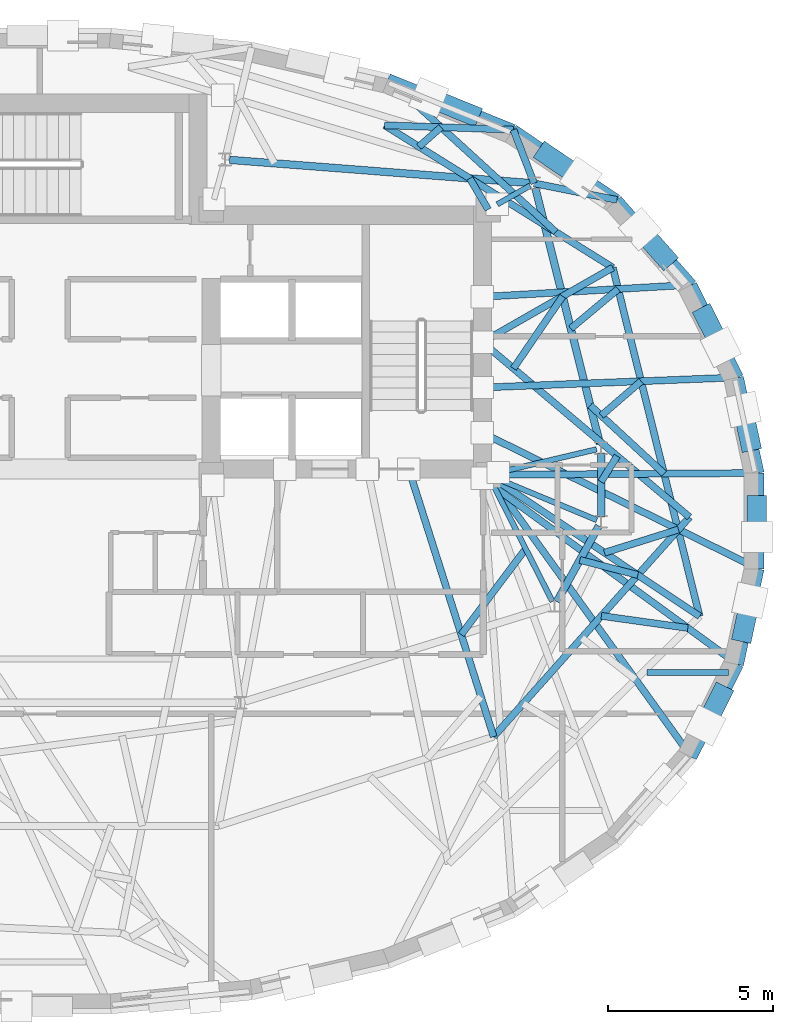
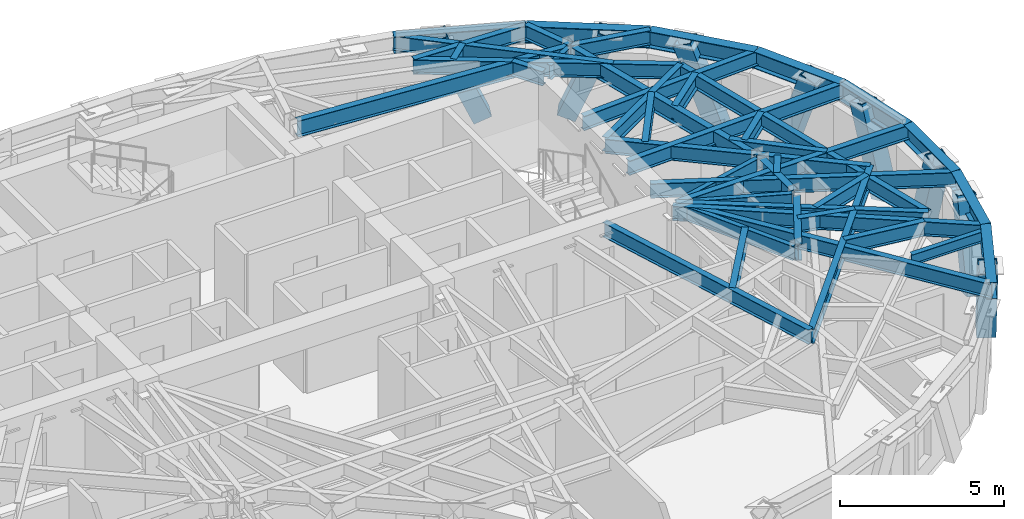
# One storey, part 4 of 12: 45 beams, 8 members.
"""IFC4 building model written with IfcOpenShell, lengths in metres."""

from ifc_helpers import new_model, si_unit, direction, frame, origin, origin_2d, place, context, subcontext, project, spatial, hollow_rectangle, i_section, extrude, material, material_profile, profile_set, type_object, element, save


model = new_model("IFC4")

# Units and contexts
model_context = context("Model", 3, precision=1e-05, world=origin(), true_north=direction((0.0, 1.0)))
body_context = subcontext(model_context, "Body", "Model", "MODEL_VIEW")
ifc_project = project(units=[si_unit("LENGTHUNIT", "METRE"), si_unit("AREAUNIT", "SQUARE_METRE"), si_unit("VOLUMEUNIT", "CUBIC_METRE"), si_unit("PLANEANGLEUNIT", "RADIAN"), si_unit("MASSUNIT", "GRAM", prefix="KILO")], contexts=[model_context])

# Site, building, storey
site_placement = place(None, origin())
site = spatial("IfcSite", under=ifc_project, at=site_placement, CompositionType="ELEMENT")
building_placement = place(site_placement, origin())
building = spatial("IfcBuilding", under=site, at=building_placement, Name="Keldmark Tower", CompositionType="ELEMENT")
storey_placement = place(building_placement, frame((0.0, 0.0, 238.35009765625)))
storey = spatial("IfcBuildingStorey", under=building, at=storey_placement, Name="L67", CompositionType="ELEMENT", Elevation=238.35009765625)

# Beam
ifc_material_1 = material(Name="Steel ASTM A992 Grade 50", Category="steel")
ifc_material_profile_1 = material_profile(ifc_material_1, i_section(OverallWidth=0.177978515625, OverallDepth=0.403076171875, WebThickness=0.007568359375, FlangeThickness=0.010986328125, at=origin_2d()), Name="W16X36")
ifc_profile_set_1 = profile_set([ifc_material_profile_1], Name="Steel ASTM A992 Grade 50")
beam_type_1 = type_object("IfcBeamType", Name="Composite Floor Joist W16X36", PredefinedType="JOIST", material=ifc_profile_set_1)
beam_1_placement = place(storey_placement, frame((18.422607421875, -4.60009765625, 2.768310546875), z_axis=(1.0, 0.0, 0.0), x_axis=(0.0, 1.0, 0.0)))
element("IfcBeam", 1, at=beam_1_placement, inside=storey, type_object=beam_type_1, Name="L67 Composite Floor Joist J05", PredefinedType="JOIST", context=body_context, shape_type="SweptSolid", body=[
    extrude(i_section(OverallWidth=0.177978515625, OverallDepth=0.403076171875, WebThickness=0.007568359375, FlangeThickness=0.010986328125, at=origin_2d()), origin(), (0.0, 0.0, 1.0), 2.466796875),
])

# Members
ifc_material_2 = material(Name="Steel ASTM A572 Grade 50", Category="steel")
ifc_material_profile_2 = material_profile(ifc_material_2, hollow_rectangle(XDim=0.60009765625, YDim=0.60009765625, WallThickness=0.034912109375, at=origin_2d()), Name="BOX600X600X35")
ifc_profile_set_2 = profile_set([ifc_material_profile_2], Name="Steel ASTM A572 Grade 50")
member_type = type_object("IfcMemberType", Name="Diagrid Zone 4 Brace BOX600X600X35", PredefinedType="BRACE", material=ifc_profile_set_2)
member_1_placement = place(storey_placement, frame((21.541259765625, 2.417724609375, -0.260009765625), z_axis=(-0.063814390527, 0.296329192117, 0.952951590303), x_axis=(-0.977588814613, -0.210523418042, 0.0)))
element("IfcMember", 2, at=member_1_placement, inside=storey, type_object=member_type, Name="L67 Perimeter Diagrid Brace 01A", PredefinedType="BRACE", context=body_context, shape_type="SweptSolid", body=[
    extrude(hollow_rectangle(XDim=0.60009765625, YDim=0.60009765625, WallThickness=0.034912109375, at=origin_2d()), origin(), (0.0, 0.0, 1.0), 3.263427734375),
])
member_2_placement = place(storey_placement, frame((20.187255859375, 6.21337890625, -0.260009765625), z_axis=(0.143211897869, -0.285382254663, 0.947653587041), x_axis=(0.89377384963, 0.448517898993, 0.0)))
element("IfcMember", 3, at=member_2_placement, inside=storey, type_object=member_type, Name="L67 Perimeter Diagrid Brace 01B", PredefinedType="BRACE", context=body_context, shape_type="SweptSolid", body=[
    extrude(hollow_rectangle(XDim=0.60009765625, YDim=0.60009765625, WallThickness=0.034912109375, at=origin_2d()), origin(), (0.0, 0.0, 1.0), 3.28173828125),
])
member_3_placement = place(storey_placement, frame((18.965087890625, 7.9970703125, -0.260009765625), z_axis=(-0.228331892863, 0.258908767835, 0.938525863597), x_axis=(-0.750006003606, -0.661431020255, 0.0)))
element("IfcMember", 4, at=member_3_placement, inside=storey, type_object=member_type, Name="L67 Perimeter Diagrid Brace 02A", PredefinedType="BRACE", context=body_context, shape_type="SweptSolid", body=[
    extrude(hollow_rectangle(XDim=0.60009765625, YDim=0.60009765625, WallThickness=0.034912109375, at=origin_2d()), origin(), (0.0, 0.0, 1.0), 3.3134765625),
])
member_4_placement = place(storey_placement, frame((15.36572265625, 11.122314453125, -0.260009765625), z_axis=(0.311701856625, -0.211340549545, 0.926378499694), x_axis=(0.56118969734, 0.827687213626, 0.0)))
element("IfcMember", 5, at=member_4_placement, inside=storey, type_object=member_type, Name="L67 Perimeter Diagrid Brace 02B", PredefinedType="BRACE", context=body_context, shape_type="SweptSolid", body=[
    extrude(hollow_rectangle(XDim=0.60009765625, YDim=0.60009765625, WallThickness=0.034912109375, at=origin_2d()), origin(), (0.0, 0.0, 1.0), 3.35693359375),
])
member_5_placement = place(storey_placement, frame((13.0625, 12.336669921875, -0.260009765625), z_axis=(-0.37256512378, 0.151024372962, 0.915634680052), x_axis=(-0.37567190483, -0.926752728575, 0.0)))
element("IfcMember", 6, at=member_5_placement, inside=storey, type_object=member_type, Name="L67 Perimeter Diagrid Brace 03A", PredefinedType="BRACE", context=body_context, shape_type="SweptSolid", body=[
    extrude(hollow_rectangle(XDim=0.60009765625, YDim=0.60009765625, WallThickness=0.034912109375, at=origin_2d()), origin(), (0.0, 0.0, 1.0), 3.396484375),
])
member_6_placement = place(storey_placement, frame((20.66162109375, -5.265869140625, -0.260009765625), z_axis=(-0.143211897869, -0.285382254663, 0.947653587041), x_axis=(0.89377384963, -0.448517898993, 0.0)))
element("IfcMember", 7, at=member_6_placement, inside=storey, type_object=member_type, Name="L67 Perimeter Diagrid Brace 15B", PredefinedType="BRACE", context=body_context, shape_type="SweptSolid", body=[
    extrude(hollow_rectangle(XDim=0.60009765625, YDim=0.60009765625, WallThickness=0.034912109375, at=origin_2d()), origin(), (0.0, 0.0, 1.0), 3.28173828125),
])
member_7_placement = place(storey_placement, frame((21.33544921875, -3.373291015625, -0.260009765625), z_axis=(0.063814390527, 0.296329192117, 0.952951590303), x_axis=(-0.977588814613, 0.210523418042, 0.0)))
element("IfcMember", 8, at=member_7_placement, inside=storey, type_object=member_type, Name="L67 Perimeter Diagrid Brace 16A", PredefinedType="BRACE", context=body_context, shape_type="SweptSolid", body=[
    extrude(hollow_rectangle(XDim=0.60009765625, YDim=0.60009765625, WallThickness=0.034912109375, at=origin_2d()), origin(), (0.0, 0.0, 1.0), 3.263427734375),
])
member_8_placement = place(storey_placement, frame((21.74951171875, 0.491455078125, -0.260009765625), z_axis=(0.0, -0.298027501799, 0.954557283861), x_axis=(1.0, 0.0, 0.0)))
element("IfcMember", 9, at=member_8_placement, inside=storey, type_object=member_type, Name="L67 Perimeter Diagrid Brace 16B", PredefinedType="BRACE", context=body_context, shape_type="SweptSolid", body=[
    extrude(hollow_rectangle(XDim=0.60009765625, YDim=0.60009765625, WallThickness=0.034912109375, at=origin_2d()), origin(), (0.0, 0.0, 1.0), 3.2578125),
])

# Beams
ifc_material_3 = material(Name="Steel ASTM A992 Grade 50", Category="steel")
ifc_material_profile_3 = material_profile(ifc_material_3, i_section(OverallWidth=0.22802734375, OverallDepth=0.60302734375, WebThickness=0.010498046875, FlangeThickness=0.014892578125, at=origin_2d()), Name="W24X68")
ifc_profile_set_3 = profile_set([ifc_material_profile_3], Name="Steel ASTM A992 Grade 50")
beam_type_2 = type_object("IfcBeamType", Name="Primary Floor Girder W24X68", PredefinedType="BEAM", material=ifc_profile_set_3)
beam_2_placement = place(storey_placement, frame((16.9912109375, 2.34375, 2.66845703125), z_axis=(-0.244902129455, 0.969547805417, 0.0), x_axis=(-0.969547805417, -0.244902129455, 0.0)))
element("IfcBeam", 10, at=beam_2_placement, inside=storey, type_object=beam_type_2, Name="L67 Floor Ring Girder FG-R01", PredefinedType="BEAM", context=body_context, shape_type="SweptSolid", body=[
    extrude(i_section(OverallWidth=0.22802734375, OverallDepth=0.60302734375, WebThickness=0.010498046875, FlangeThickness=0.014892578125, at=origin_2d()), origin(), (0.0, 0.0, 1.0), 8.008056640625),
])
beam_3_placement = place(storey_placement, frame((14.856201171875, 10.25439453125, 2.66845703125), z_axis=(-0.997037147832, 0.076921556421, 0.0), x_axis=(-0.076921556421, -0.997037147832, 0.0)))
element("IfcBeam", 11, at=beam_3_placement, inside=storey, type_object=beam_type_2, Name="L67 Floor Ring Girder FG-R02", PredefinedType="BEAM", context=body_context, shape_type="SweptSolid", body=[
    extrude(i_section(OverallWidth=0.22802734375, OverallDepth=0.60302734375, WebThickness=0.010498046875, FlangeThickness=0.014892578125, at=origin_2d()), origin(), (0.0, 0.0, 1.0), 9.125),
])
beam_4_placement = place(storey_placement, frame((15.68408203125, -2.44482421875, 2.66845703125), z_axis=(0.484719680408, 0.874669555561, 0.0), x_axis=(-0.874669555561, 0.484719680408, 0.0)))
element("IfcBeam", 12, at=beam_4_placement, inside=storey, type_object=beam_type_2, Name="L67 Floor Ring Girder FG-R11", PredefinedType="BEAM", context=body_context, shape_type="SweptSolid", body=[
    extrude(i_section(OverallWidth=0.22802734375, OverallDepth=0.60302734375, WebThickness=0.010498046875, FlangeThickness=0.014892578125, at=origin_2d()), origin(), (0.0, 0.0, 1.0), 2.627685546875),
])
beam_5_placement = place(storey_placement, frame((17.025634765625, 0.115966796875, 2.66845703125), z_axis=(0.0, 1.0, 0.0), x_axis=(-1.0, 0.0, 0.0)))
element("IfcBeam", 13, at=beam_5_placement, inside=storey, type_object=beam_type_2, Name="L67 Floor Ring Girder FG-R12", PredefinedType="BEAM", context=body_context, shape_type="SweptSolid", body=[
    extrude(i_section(OverallWidth=0.22802734375, OverallDepth=0.60302734375, WebThickness=0.010498046875, FlangeThickness=0.014892578125, at=origin_2d()), origin(), (0.0, 0.0, 1.0), 1.9521484375),
])
ifc_material_4 = material(Name="Steel ASTM A992 Grade 50", Category="steel")
ifc_material_profile_4 = material_profile(ifc_material_4, i_section(OverallWidth=0.166015625, OverallDepth=0.529052734375, WebThickness=0.009765625, FlangeThickness=0.013671875, at=origin_2d()), Name="W21X50")
ifc_profile_set_4 = profile_set([ifc_material_profile_4], Name="Steel ASTM A992 Grade 50")
beam_type_3 = type_object("IfcBeamType", Name="Radial Tie Girder W21X50", PredefinedType="BEAM", material=ifc_profile_set_4)
beam_6_placement = place(storey_placement, frame((16.889404296875, 2.17578125, 2.705322265625), z_axis=(-0.97329039005, -0.229577474147, 0.0), x_axis=(0.229577474147, -0.97329039005, 0.0)))
element("IfcBeam", 14, at=beam_6_placement, inside=storey, type_object=beam_type_3, Name="L67 Floor Radial Girder FG-C01", PredefinedType="BEAM", context=body_context, shape_type="SweptSolid", body=[
    extrude(i_section(OverallWidth=0.166015625, OverallDepth=0.529052734375, WebThickness=0.009765625, FlangeThickness=0.013671875, at=origin_2d()), origin(), (0.0, 0.0, 1.0), 3.0595703125),
])
beam_7_placement = place(storey_placement, frame((14.8740234375, 10.174560546875, 2.705322265625), z_axis=(-0.869238046195, -0.494393789451, 0.0), x_axis=(0.494393789451, -0.869238046195, 0.0)))
element("IfcBeam", 15, at=beam_7_placement, inside=storey, type_object=beam_type_3, Name="L67 Floor Radial Girder FG-C02", PredefinedType="BEAM", context=body_context, shape_type="SweptSolid", body=[
    extrude(i_section(OverallWidth=0.166015625, OverallDepth=0.529052734375, WebThickness=0.009765625, FlangeThickness=0.013671875, at=origin_2d()), origin(), (0.0, 0.0, 1.0), 1.145751953125),
])
beam_8_placement = place(storey_placement, frame((15.552734375, -2.442626953125, 2.705322265625), z_axis=(-0.453004410574, 0.89150827478, 0.0), x_axis=(-0.89150827478, -0.453004410574, 0.0)))
element("IfcBeam", 16, at=beam_8_placement, inside=storey, type_object=beam_type_3, Name="L67 Floor Radial Girder FG-C11", PredefinedType="BEAM", context=body_context, shape_type="SweptSolid", body=[
    extrude(i_section(OverallWidth=0.166015625, OverallDepth=0.529052734375, WebThickness=0.009765625, FlangeThickness=0.013671875, at=origin_2d()), origin(), (0.0, 0.0, 1.0), 3.990234375),
])
beam_9_placement = place(storey_placement, frame((16.896240234375, 0.02978515625, 2.705322265625), z_axis=(-0.923403331902, 0.383831065226, 0.0), x_axis=(-0.383831065226, -0.923403331902, 0.0)))
element("IfcBeam", 17, at=beam_9_placement, inside=storey, type_object=beam_type_3, Name="L67 Floor Radial Girder FG-C12", PredefinedType="BEAM", context=body_context, shape_type="SweptSolid", body=[
    extrude(i_section(OverallWidth=0.166015625, OverallDepth=0.529052734375, WebThickness=0.009765625, FlangeThickness=0.013671875, at=origin_2d()), origin(), (0.0, 0.0, 1.0), 3.249755859375),
])
ifc_material_5 = material(Name="Steel ASTM A992 Grade 50", Category="steel")
ifc_material_profile_5 = material_profile(ifc_material_5, i_section(OverallWidth=0.2099609375, OverallDepth=0.537109375, WebThickness=0.010986328125, FlangeThickness=0.017333984375, at=origin_2d()), Name="W21X68")
ifc_profile_set_5 = profile_set([ifc_material_profile_5], Name="Steel ASTM A992 Grade 50")
beam_type_4 = type_object("IfcBeamType", Name="Radial Tie Girder W21X68", PredefinedType="BEAM", material=ifc_profile_set_5)
beam_10_placement = place(storey_placement, frame((14.7392578125, -0.841796875, 2.701416015625), z_axis=(-0.600792057917, -0.799405343455, 0.0), x_axis=(0.799405343455, -0.600792057917, 0.0)))
element("IfcBeam", 18, at=beam_10_placement, inside=storey, type_object=beam_type_4, Name="L67 Framing Pin Header PH-005", PredefinedType="BEAM", context=body_context, shape_type="SweptSolid", body=[
    extrude(i_section(OverallWidth=0.2099609375, OverallDepth=0.537109375, WebThickness=0.010986328125, FlangeThickness=0.017333984375, at=origin_2d()), origin(), (0.0, 0.0, 1.0), 3.253662109375),
])
beam_11_placement = place(storey_placement, frame((11.19287109375, 1.574951171875, 2.701416015625), z_axis=(0.3023360028, -0.953201417021, 0.0), x_axis=(0.953201417021, 0.3023360028, 0.0)))
element("IfcBeam", 19, at=beam_11_placement, inside=storey, type_object=beam_type_4, Name="L67 Sub-Ring Step Girder STP1-M11", PredefinedType="BEAM", context=body_context, shape_type="SweptSolid", body=[
    extrude(i_section(OverallWidth=0.2099609375, OverallDepth=0.537109375, WebThickness=0.010986328125, FlangeThickness=0.017333984375, at=origin_2d()), origin(), (0.0, 0.0, 1.0), 8.514404296875),
])
beam_12_placement = place(storey_placement, frame((17.025634765625, 1.189697265625, 2.701416015625), z_axis=(0.527856749406, 0.849333416337, 0.0), x_axis=(-0.849333416337, 0.527856749406, 0.0)))
element("IfcBeam", 20, at=beam_12_placement, inside=storey, type_object=beam_type_4, Name="L67 Framing Pin Header PH-006", PredefinedType="BEAM", context=body_context, shape_type="SweptSolid", body=[
    extrude(i_section(OverallWidth=0.2099609375, OverallDepth=0.537109375, WebThickness=0.010986328125, FlangeThickness=0.017333984375, at=origin_2d()), origin(), (0.0, 0.0, 1.0), 0.922607421875),
])
beam_13_placement = place(storey_placement, frame((13.425048828125, 5.425048828125, 2.701416015625), z_axis=(0.764059179504, -0.645146161901, 0.0), x_axis=(0.645146161901, 0.764059179504, 0.0)))
element("IfcBeam", 21, at=beam_13_placement, inside=storey, type_object=beam_type_4, Name="L67 Sub-Ring Step Girder STP1-M12", PredefinedType="BEAM", context=body_context, shape_type="SweptSolid", body=[
    extrude(i_section(OverallWidth=0.2099609375, OverallDepth=0.537109375, WebThickness=0.010986328125, FlangeThickness=0.017333984375, at=origin_2d()), origin(), (0.0, 0.0, 1.0), 8.224609375),
])
beam_14_placement = place(storey_placement, frame((13.76708984375, -6.541015625, 2.701416015625), z_axis=(0.665753182489, 0.746172031107, 0.0), x_axis=(-0.746172031107, 0.665753182489, 0.0)))
element("IfcBeam", 22, at=beam_14_placement, inside=storey, type_object=beam_type_4, Name="L67 Perimeter Collector Ring Beam CRG1-M11", PredefinedType="BEAM", context=body_context, shape_type="SweptSolid", body=[
    extrude(i_section(OverallWidth=0.2099609375, OverallDepth=0.537109375, WebThickness=0.010986328125, FlangeThickness=0.017333984375, at=origin_2d()), origin(), (0.0, 0.0, 1.0), 8.925537109375),
])
beam_15_placement = place(storey_placement, frame((14.36767578125, 4.629150390625, 2.701416015625), z_axis=(0.563534054142, 0.826092833659, 0.0), x_axis=(-0.826092833659, 0.563534054142, 0.0)))
element("IfcBeam", 23, at=beam_15_placement, inside=storey, type_object=beam_type_4, Name="L67 Framing Pin Header PH-007", PredefinedType="BEAM", context=body_context, shape_type="SweptSolid", body=[
    extrude(i_section(OverallWidth=0.2099609375, OverallDepth=0.537109375, WebThickness=0.010986328125, FlangeThickness=0.017333984375, at=origin_2d()), origin(), (0.0, 0.0, 1.0), 2.650146484375),
])
beam_16_placement = place(storey_placement, frame((13.425048828125, 5.425048828125, 2.701416015625), z_axis=(0.86802883887, 0.496513781168, 0.0), x_axis=(-0.496513781168, 0.86802883887, 0.0)))
element("IfcBeam", 24, at=beam_16_placement, inside=storey, type_object=beam_type_4, Name="L67 Sub-Ring Step Girder STP2-M01", PredefinedType="BEAM", context=body_context, shape_type="SweptSolid", body=[
    extrude(i_section(OverallWidth=0.2099609375, OverallDepth=0.537109375, WebThickness=0.010986328125, FlangeThickness=0.017333984375, at=origin_2d()), origin(), (0.0, 0.0, 1.0), 4.55859375),
])
beam_17_placement = place(storey_placement, frame((16.384521484375, -1.180908203125, 2.701416015625), z_axis=(0.967879454201, -0.2514147214, 0.0), x_axis=(0.2514147214, 0.967879454201, 0.0)))
element("IfcBeam", 25, at=beam_17_placement, inside=storey, type_object=beam_type_4, Name="L67 Framing Pin Header PH-012", PredefinedType="BEAM", context=body_context, shape_type="SweptSolid", body=[
    extrude(i_section(OverallWidth=0.2099609375, OverallDepth=0.537109375, WebThickness=0.010986328125, FlangeThickness=0.017333984375, at=origin_2d()), origin(), (0.0, 0.0, 1.0), 1.81591796875),
])
beam_18_placement = place(storey_placement, frame((13.60009765625, 1.39990234375, 2.701416015625), z_axis=(0.831256362495, -0.555889251391, 0.0), x_axis=(0.555889251391, 0.831256362495, 0.0)))
element("IfcBeam", 26, at=beam_18_placement, inside=storey, type_object=beam_type_4, Name="L67 Sub-Ring Step Girder STP2-M12", PredefinedType="BEAM", context=body_context, shape_type="SweptSolid", body=[
    extrude(i_section(OverallWidth=0.2099609375, OverallDepth=0.537109375, WebThickness=0.010986328125, FlangeThickness=0.017333984375, at=origin_2d()), origin(), (0.0, 0.0, 1.0), 7.7197265625),
])
beam_19_placement = place(storey_placement, frame((20.01708984375, -2.891357421875, 2.701416015625), z_axis=(-0.241676731391, 0.970356819682, 0.0), x_axis=(-0.970356819682, -0.241676731391, 0.0)))
element("IfcBeam", 27, at=beam_19_placement, inside=storey, type_object=beam_type_4, Name="L67 Perimeter Collector Ring Beam CRG2-M12", PredefinedType="BEAM", context=body_context, shape_type="SweptSolid", body=[
    extrude(i_section(OverallWidth=0.2099609375, OverallDepth=0.537109375, WebThickness=0.010986328125, FlangeThickness=0.017333984375, at=origin_2d()), origin(), (0.0, 0.0, 1.0), 10.903076171875),
])
beam_20_placement = place(storey_placement, frame((16.697021484375, 3.50830078125, 2.701416015625), z_axis=(0.734505952671, -0.678602243948, 0.0), x_axis=(0.678602243948, 0.734505952671, 0.0)))
element("IfcBeam", 28, at=beam_20_placement, inside=storey, type_object=beam_type_4, Name="L67 Framing Pin Header PH-013", PredefinedType="BEAM", context=body_context, shape_type="SweptSolid", body=[
    extrude(i_section(OverallWidth=0.2099609375, OverallDepth=0.537109375, WebThickness=0.010986328125, FlangeThickness=0.017333984375, at=origin_2d()), origin(), (0.0, 0.0, 1.0), 3.052734375),
])
beam_21_placement = place(storey_placement, frame((13.60009765625, 1.39990234375, 2.701416015625), z_axis=(0.999976198415, 0.006899464031, 0.0), x_axis=(-0.006899464031, 0.999976198415, 0.0)))
element("IfcBeam", 29, at=beam_21_placement, inside=storey, type_object=beam_type_4, Name="L67 Perimeter Radial Tie Girder RT-01", PredefinedType="BEAM", context=body_context, shape_type="SweptSolid", body=[
    extrude(i_section(OverallWidth=0.2099609375, OverallDepth=0.537109375, WebThickness=0.010986328125, FlangeThickness=0.017333984375, at=origin_2d()), origin(), (0.0, 0.0, 1.0), 8.20947265625),
])
beam_22_placement = place(storey_placement, frame((17.033447265625, 3.197509765625, 2.701416015625), z_axis=(0.756571819004, 0.653910607568, 0.0), x_axis=(-0.653910607568, 0.756571819004, 0.0)))
element("IfcBeam", 30, at=beam_22_placement, inside=storey, type_object=beam_type_4, Name="L67 Framing Pin Header PH-014", PredefinedType="BEAM", context=body_context, shape_type="SweptSolid", body=[
    extrude(i_section(OverallWidth=0.2099609375, OverallDepth=0.537109375, WebThickness=0.010986328125, FlangeThickness=0.017333984375, at=origin_2d()), origin(), (0.0, 0.0, 1.0), 1.595703125),
])
beam_23_placement = place(storey_placement, frame((13.425048828125, 4.050048828125, 2.701416015625), z_axis=(0.999215108234, 0.039612718635, 0.0), x_axis=(-0.039612718635, 0.999215108234, 0.0)))
element("IfcBeam", 31, at=beam_23_placement, inside=storey, type_object=beam_type_4, Name="L67 Perimeter Radial Tie Girder RT-02", PredefinedType="BEAM", context=body_context, shape_type="SweptSolid", body=[
    extrude(i_section(OverallWidth=0.2099609375, OverallDepth=0.537109375, WebThickness=0.010986328125, FlangeThickness=0.017333984375, at=origin_2d()), origin(), (0.0, 0.0, 1.0), 7.765625),
])
beam_24_placement = place(storey_placement, frame((16.10888671875, 5.837646484375, 2.701416015625), z_axis=(0.766957773251, 0.641697572108, 0.0), x_axis=(-0.641697572108, 0.766957773251, 0.0)))
element("IfcBeam", 32, at=beam_24_placement, inside=storey, type_object=beam_type_4, Name="L67 Framing Pin Header PH-015", PredefinedType="BEAM", context=body_context, shape_type="SweptSolid", body=[
    extrude(i_section(OverallWidth=0.2099609375, OverallDepth=0.537109375, WebThickness=0.010986328125, FlangeThickness=0.017333984375, at=origin_2d()), origin(), (0.0, 0.0, 1.0), 1.87109375),
])
beam_25_placement = place(storey_placement, frame((13.425048828125, 6.800048828125, 2.701416015625), z_axis=(0.998332122383, 0.057731909876, 0.0), x_axis=(-0.057731909876, 0.998332122383, 0.0)))
element("IfcBeam", 33, at=beam_25_placement, inside=storey, type_object=beam_type_4, Name="L67 Perimeter Radial Tie Girder RT-03", PredefinedType="BEAM", context=body_context, shape_type="SweptSolid", body=[
    extrude(i_section(OverallWidth=0.2099609375, OverallDepth=0.537109375, WebThickness=0.010986328125, FlangeThickness=0.017333984375, at=origin_2d()), origin(), (0.0, 0.0, 1.0), 6.360107421875),
])
beam_26_placement = place(storey_placement, frame((14.995849609375, 10.24365234375, 2.701416015625), z_axis=(0.9805513071, -0.19626292096, 0.0), x_axis=(0.19626292096, 0.9805513071, 0.0)))
element("IfcBeam", 34, at=beam_26_placement, inside=storey, type_object=beam_type_4, Name="L67 Perimeter Column Bracket RT-04", PredefinedType="BEAM", context=body_context, shape_type="SweptSolid", body=[
    extrude(i_section(OverallWidth=0.2099609375, OverallDepth=0.537109375, WebThickness=0.010986328125, FlangeThickness=0.017333984375, at=origin_2d()), origin(), (0.0, 0.0, 1.0), 2.558837890625),
])
beam_27_placement = place(storey_placement, frame((14.995849609375, 10.24365234375, 2.701416015625), z_axis=(-0.361135466813, 0.932513364306, 0.0), x_axis=(-0.932513364306, -0.361135466813, 0.0)))
element("IfcBeam", 35, at=beam_27_placement, inside=storey, type_object=beam_type_4, Name="L67 Perimeter Column Bracket RT-05", PredefinedType="BEAM", context=body_context, shape_type="SweptSolid", body=[
    extrude(i_section(OverallWidth=0.2099609375, OverallDepth=0.537109375, WebThickness=0.010986328125, FlangeThickness=0.017333984375, at=origin_2d()), origin(), (0.0, 0.0, 1.0), 1.744140625),
])
beam_28_placement = place(storey_placement, frame((13.60009765625, 9.449951171875, 2.701416015625), z_axis=(-0.507136973213, 0.861865471173, 0.0), x_axis=(-0.861865471173, -0.507136973213, 0.0)))
element("IfcBeam", 36, at=beam_28_placement, inside=storey, type_object=beam_type_4, Name="L67 Framing Pin Header PH-016", PredefinedType="BEAM", context=body_context, shape_type="SweptSolid", body=[
    extrude(i_section(OverallWidth=0.2099609375, OverallDepth=0.537109375, WebThickness=0.010986328125, FlangeThickness=0.017333984375, at=origin_2d()), origin(), (0.0, 0.0, 1.0), 1.095703125),
])
beam_29_placement = place(storey_placement, frame((17.382080078125, 7.6884765625, 2.701416015625), z_axis=(-0.84845368143, 0.529269638717, 0.0), x_axis=(-0.529269638717, -0.84845368143, 0.0)))
element("IfcBeam", 37, at=beam_29_placement, inside=storey, type_object=beam_type_4, Name="L67 Intermediate Radial Step Girder RT-06M", PredefinedType="BEAM", context=body_context, shape_type="SweptSolid", body=[
    extrude(i_section(OverallWidth=0.2099609375, OverallDepth=0.537109375, WebThickness=0.010986328125, FlangeThickness=0.017333984375, at=origin_2d()), origin(), (0.0, 0.0, 1.0), 8.15673828125),
])
beam_30_placement = place(storey_placement, frame((14.365966796875, 11.8701171875, 2.701416015625), z_axis=(-0.999398405226, 0.034681805471, 0.0), x_axis=(-0.034681805471, -0.999398405226, 0.0)))
element("IfcBeam", 38, at=beam_30_placement, inside=storey, type_object=beam_type_4, Name="L67 Local Collector Chord RT-06C", PredefinedType="BEAM", context=body_context, shape_type="SweptSolid", body=[
    extrude(i_section(OverallWidth=0.2099609375, OverallDepth=0.537109375, WebThickness=0.010986328125, FlangeThickness=0.017333984375, at=origin_2d()), origin(), (0.0, 0.0, 1.0), 3.906982421875),
])
beam_31_placement = place(storey_placement, frame((11.49951171875, 11.35791015625, 2.701416015625), z_axis=(0.75255976066, 0.658523960563, 0.0), x_axis=(-0.658523960563, 0.75255976066, 0.0)))
element("IfcBeam", 39, at=beam_31_placement, inside=storey, type_object=beam_type_4, Name="L67 Framing Pin Header PH-017", PredefinedType="BEAM", context=body_context, shape_type="SweptSolid", body=[
    extrude(i_section(OverallWidth=0.2099609375, OverallDepth=0.537109375, WebThickness=0.010986328125, FlangeThickness=0.017333984375, at=origin_2d()), origin(), (0.0, 0.0, 1.0), 0.89306640625),
])
beam_32_placement = place(storey_placement, frame((15.652099609375, 8.767578125, 2.701416015625), z_axis=(-0.738394104317, 0.674369443785, 0.0), x_axis=(-0.674369443785, -0.738394104317, 0.0)))
element("IfcBeam", 40, at=beam_32_placement, inside=storey, type_object=beam_type_4, Name="L67 Perimeter Radial Tie Girder RT-06", PredefinedType="BEAM", context=body_context, shape_type="SweptSolid", body=[
    extrude(i_section(OverallWidth=0.2099609375, OverallDepth=0.537109375, WebThickness=0.010986328125, FlangeThickness=0.017333984375, at=origin_2d()), origin(), (0.0, 0.0, 1.0), 6.8828125),
])
beam_33_placement = place(storey_placement, frame((13.60009765625, 1.39990234375, 2.701416015625), z_axis=(0.584692608254, -0.811254925318, 0.0), x_axis=(0.811254925318, 0.584692608254, 0.0)))
element("IfcBeam", 41, at=beam_33_placement, inside=storey, type_object=beam_type_4, Name="L67 Perimeter Radial Tie Girder RT-30", PredefinedType="BEAM", context=body_context, shape_type="SweptSolid", body=[
    extrude(i_section(OverallWidth=0.2099609375, OverallDepth=0.537109375, WebThickness=0.010986328125, FlangeThickness=0.017333984375, at=origin_2d()), origin(), (0.0, 0.0, 1.0), 10.560302734375),
])
beam_34_placement = place(storey_placement, frame((17.035400390625, -2.8779296875, 2.701416015625), z_axis=(0.990356423004, -0.138542973173, 0.0), x_axis=(0.138542973173, 0.990356423004, 0.0)))
element("IfcBeam", 42, at=beam_34_placement, inside=storey, type_object=beam_type_4, Name="L67 Framing Pin Header PH-036", PredefinedType="BEAM", context=body_context, shape_type="SweptSolid", body=[
    extrude(i_section(OverallWidth=0.2099609375, OverallDepth=0.537109375, WebThickness=0.010986328125, FlangeThickness=0.017333984375, at=origin_2d()), origin(), (0.0, 0.0, 1.0), 2.648681640625),
])
beam_35_placement = place(storey_placement, frame((13.425048828125, 1.300048828125, 2.701416015625), z_axis=(0.808020893501, -0.589153830223, 0.0), x_axis=(0.589153830223, 0.808020893501, 0.0)))
element("IfcBeam", 43, at=beam_35_placement, inside=storey, type_object=beam_type_4, Name="L67 Perimeter Radial Tie Girder RT-31", PredefinedType="BEAM", context=body_context, shape_type="SweptSolid", body=[
    extrude(i_section(OverallWidth=0.2099609375, OverallDepth=0.537109375, WebThickness=0.010986328125, FlangeThickness=0.017333984375, at=origin_2d()), origin(), (0.0, 0.0, 1.0), 9.60302734375),
])
beam_36_placement = place(storey_placement, frame((17.12939453125, -0.960205078125, 2.701416015625), z_axis=(0.954226655975, 0.299084417892, 0.0), x_axis=(-0.299084417892, 0.954226655975, 0.0)))
element("IfcBeam", 44, at=beam_36_placement, inside=storey, type_object=beam_type_4, Name="L67 Framing Pin Header PH-037", PredefinedType="BEAM", context=body_context, shape_type="SweptSolid", body=[
    extrude(i_section(OverallWidth=0.2099609375, OverallDepth=0.537109375, WebThickness=0.010986328125, FlangeThickness=0.017333984375, at=origin_2d()), origin(), (0.0, 0.0, 1.0), 2.3525390625),
])
beam_37_placement = place(storey_placement, frame((13.425048828125, 2.675048828125, 2.701416015625), z_axis=(0.897003254377, -0.442023937855, 0.0), x_axis=(0.442023937855, 0.897003254377, 0.0)))
element("IfcBeam", 45, at=beam_37_placement, inside=storey, type_object=beam_type_4, Name="L67 Perimeter Radial Tie Girder RT-32", PredefinedType="BEAM", context=body_context, shape_type="SweptSolid", body=[
    extrude(i_section(OverallWidth=0.2099609375, OverallDepth=0.537109375, WebThickness=0.010986328125, FlangeThickness=0.017333984375, at=origin_2d()), origin(), (0.0, 0.0, 1.0), 9.346923828125),
])
ifc_material_6 = material(Name="Steel ASTM A992 Grade 50", Category="steel")
ifc_material_profile_6 = material_profile(ifc_material_6, i_section(OverallWidth=0.326904296875, OverallDepth=0.6220703125, WebThickness=0.015380859375, FlangeThickness=0.0244140625, at=origin_2d()), Name="W24X131")
ifc_profile_set_6 = profile_set([ifc_material_profile_6], Name="Steel ASTM A992 Grade 50")
beam_type_5 = type_object("IfcBeamType", Name="Spandrel Ring Beam W24X131", PredefinedType="SPANDREL", material=ifc_profile_set_6)
beam_38_placement = place(storey_placement, frame((21.809326171875, 1.45654296875, 2.658935546875), z_axis=(-0.210523418042, 0.977588814613, 0.0), x_axis=(-0.977588814613, -0.210523418042, 0.0)))
element("IfcBeam", 46, at=beam_38_placement, inside=storey, type_object=beam_type_5, Name="L67 Perimeter Spandrel Ring Beam SRB-01", PredefinedType="SPANDREL", context=body_context, shape_type="SweptSolid", body=[
    extrude(i_section(OverallWidth=0.326904296875, OverallDepth=0.6220703125, WebThickness=0.015380859375, FlangeThickness=0.0244140625, at=origin_2d()), origin(), (0.0, 0.0, 1.0), 2.967529296875),
])
beam_39_placement = place(storey_placement, frame((21.1845703125, 4.357666015625, 2.658935546875), z_axis=(-0.448517898993, 0.89377384963, 0.0), x_axis=(-0.89377384963, -0.448517898993, 0.0)))
element("IfcBeam", 47, at=beam_39_placement, inside=storey, type_object=beam_type_5, Name="L67 Perimeter Spandrel Ring Beam SRB-02", PredefinedType="SPANDREL", context=body_context, shape_type="SweptSolid", body=[
    extrude(i_section(OverallWidth=0.326904296875, OverallDepth=0.6220703125, WebThickness=0.015380859375, FlangeThickness=0.0244140625, at=origin_2d()), origin(), (0.0, 0.0, 1.0), 3.1435546875),
])
beam_40_placement = place(storey_placement, frame((19.774658203125, 7.167236328125, 2.658935546875), z_axis=(-0.66136043846, 0.750068243855, 0.0), x_axis=(-0.750068243855, -0.66136043846, 0.0)))
element("IfcBeam", 48, at=beam_40_placement, inside=storey, type_object=beam_type_5, Name="L67 Perimeter Spandrel Ring Beam SRB-03", PredefinedType="SPANDREL", context=body_context, shape_type="SweptSolid", body=[
    extrude(i_section(OverallWidth=0.326904296875, OverallDepth=0.6220703125, WebThickness=0.015380859375, FlangeThickness=0.0244140625, at=origin_2d()), origin(), (0.0, 0.0, 1.0), 3.431884765625),
])
beam_41_placement = place(storey_placement, frame((17.5048828125, 9.741455078125, 2.658935546875), z_axis=(-0.827637036896, 0.561263694851, 0.0), x_axis=(-0.561263694851, -0.827637036896, 0.0)))
element("IfcBeam", 49, at=beam_41_placement, inside=storey, type_object=beam_type_5, Name="L67 Perimeter Spandrel Ring Beam SRB-04", PredefinedType="SPANDREL", context=body_context, shape_type="SweptSolid", body=[
    extrude(i_section(OverallWidth=0.326904296875, OverallDepth=0.6220703125, WebThickness=0.015380859375, FlangeThickness=0.0244140625, at=origin_2d()), origin(), (0.0, 0.0, 1.0), 3.792724609375),
])
beam_42_placement = place(storey_placement, frame((14.365966796875, 11.8701171875, 2.658935546875), z_axis=(-0.926731976866, 0.375723093586, 0.0), x_axis=(-0.375723093586, -0.926731976866, 0.0)))
element("IfcBeam", 50, at=beam_42_placement, inside=storey, type_object=beam_type_5, Name="L67 Perimeter Spandrel Ring Beam SRB-05", PredefinedType="SPANDREL", context=body_context, shape_type="SweptSolid", body=[
    extrude(i_section(OverallWidth=0.326904296875, OverallDepth=0.6220703125, WebThickness=0.015380859375, FlangeThickness=0.0244140625, at=origin_2d()), origin(), (0.0, 0.0, 1.0), 4.09619140625),
])
beam_43_placement = place(storey_placement, frame((19.774658203125, -7.167236328125, 2.658935546875), z_axis=(0.448517898993, 0.89377384963, 0.0), x_axis=(-0.89377384963, 0.448517898993, 0.0)))
element("IfcBeam", 51, at=beam_43_placement, inside=storey, type_object=beam_type_5, Name="L67 Perimeter Spandrel Ring Beam SRB-30", PredefinedType="SPANDREL", context=body_context, shape_type="SweptSolid", body=[
    extrude(i_section(OverallWidth=0.326904296875, OverallDepth=0.6220703125, WebThickness=0.015380859375, FlangeThickness=0.0244140625, at=origin_2d()), origin(), (0.0, 0.0, 1.0), 3.1435546875),
])
beam_44_placement = place(storey_placement, frame((21.1845703125, -4.357666015625, 2.658935546875), z_axis=(0.210523418042, 0.977588814613, 0.0), x_axis=(-0.977588814613, 0.210523418042, 0.0)))
element("IfcBeam", 52, at=beam_44_placement, inside=storey, type_object=beam_type_5, Name="L67 Perimeter Spandrel Ring Beam SRB-31", PredefinedType="SPANDREL", context=body_context, shape_type="SweptSolid", body=[
    extrude(i_section(OverallWidth=0.326904296875, OverallDepth=0.6220703125, WebThickness=0.015380859375, FlangeThickness=0.0244140625, at=origin_2d()), origin(), (0.0, 0.0, 1.0), 2.967529296875),
])
beam_45_placement = place(storey_placement, frame((21.809326171875, -1.45654296875, 2.658935546875), z_axis=(0.0, 1.0, 0.0), x_axis=(-1.0, 0.0, 0.0)))
element("IfcBeam", 53, at=beam_45_placement, inside=storey, type_object=beam_type_5, Name="L67 Perimeter Spandrel Ring Beam SRB-32", PredefinedType="SPANDREL", context=body_context, shape_type="SweptSolid", body=[
    extrude(i_section(OverallWidth=0.326904296875, OverallDepth=0.6220703125, WebThickness=0.015380859375, FlangeThickness=0.0244140625, at=origin_2d()), origin(), (0.0, 0.0, 1.0), 2.9130859375),
])

save(model, "model.ifc")
